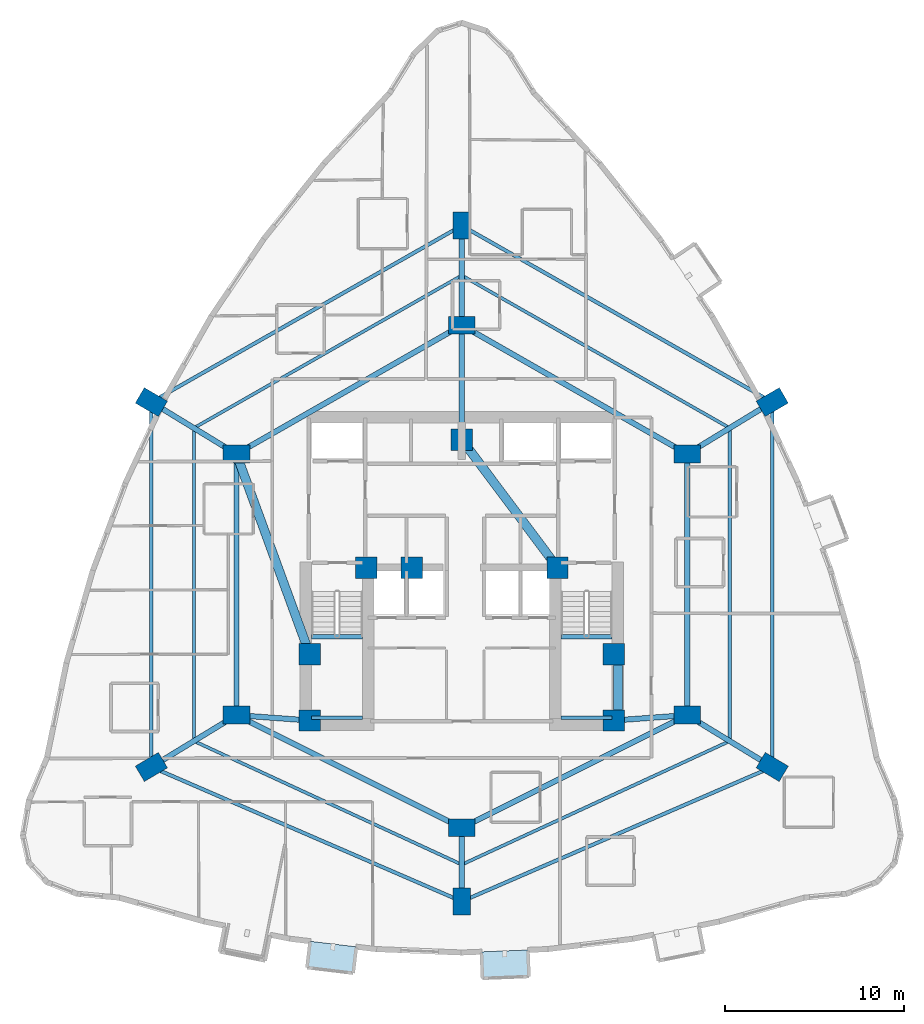
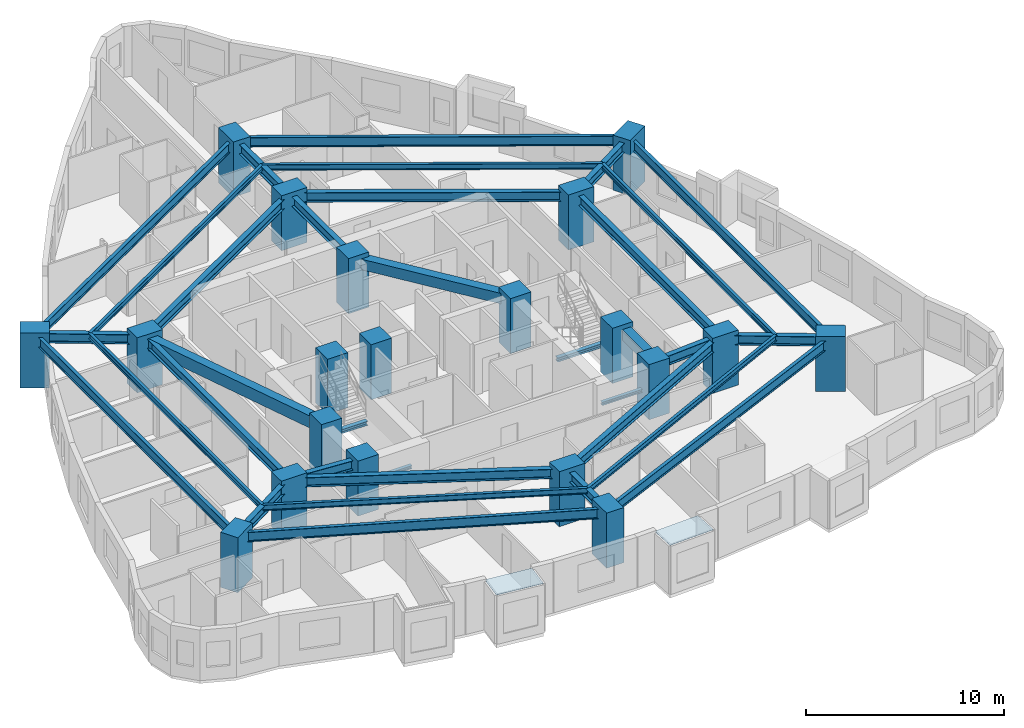
# One storey, part 1 of 12: 34 beams, 20 columns, 2 plates.
"""IFC4 building model written with IfcOpenShell, lengths in metres."""

from ifc_helpers import new_model, si_unit, direction, frame, origin, origin_2d, place, context, subcontext, project, spatial, polyline, rectangle, i_section, outline, extrude, material, layer, layer_set, material_profile, profile_set, type_object, element, save


model = new_model("IFC4")

# Units and contexts
model_context = context("Model", 3, precision=1e-05, world=origin(), true_north=direction((0.0, 1.0)))
body_context = subcontext(model_context, "Body", "Model", "MODEL_VIEW")
ifc_project = project(units=[si_unit("LENGTHUNIT", "METRE"), si_unit("AREAUNIT", "SQUARE_METRE"), si_unit("VOLUMEUNIT", "CUBIC_METRE"), si_unit("PLANEANGLEUNIT", "RADIAN"), si_unit("MASSUNIT", "GRAM", prefix="KILO")], contexts=[model_context])

# Site, building, storey
site_placement = place(None, origin())
site = spatial("IfcSite", under=ifc_project, at=site_placement, CompositionType="ELEMENT")
building_placement = place(site_placement, origin())
building = spatial("IfcBuilding", under=site, at=building_placement, Name="Miruveldt Soraemaru", CompositionType="ELEMENT")
storey_placement = place(building_placement, frame((0.0, 0.0, 56.39990234375)))
storey = spatial("IfcBuildingStorey", under=building, at=storey_placement, Name="L15", CompositionType="ELEMENT", Elevation=56.39990234375)

# Columns
ifc_material_1 = material(Name="Concrete C70/85 (70 MPa)", Category="concrete")
ifc_material_profile_1 = material_profile(ifc_material_1, rectangle(XDim=1.199951171875, YDim=1.199951171875, at=origin_2d()), Name="Concrete C70/85 (70 MPa)", Category="concrete")
ifc_profile_set_1 = profile_set([ifc_material_profile_1], Name="Concrete C70/85 (70 MPa)")
column_type_1 = type_object("IfcColumnType", Name="COL-CORE-1200", PredefinedType="COLUMN", material=ifc_profile_set_1)
for number, where, z_axis, x_axis, name in (
    (1, (35.5, 35.5, 0.0), (0.0, 0.0, 1.0), (1.0, 0.0, 0.0), "L15 Structural Column CC1"),
    (2, (38.64990234375, 44.050048828125, 0.0), (0.0, 0.0, 1.0), (1.0, 0.0, 0.0), "L15 Structural Column CC2"),
    (3, (52.5, 35.5, 0.0), (0.0, 0.0, 1.0), (1.0, 0.0, 0.0), "L15 Structural Column CC3"),
    (4, (52.5, 39.199951171875, 0.0), (0.0, 0.0, 1.0), (1.0, 0.0, 0.0), "L15 Structural Column CC4"),
    (5, (49.35009765625, 44.050048828125, 0.0), (0.0, 0.0, 1.0), (1.0, 0.0, 0.0), "L15 Structural Column CC5"),
    (6, (44.0, 51.199951171875, 0.0), (0.0, 0.0, 1.0), (1.0, 0.0, 0.0), "L15 Structural Column CC6"),
    (7, (35.5, 39.199951171875, 0.0), (0.0, 0.0, 1.0), (1.0, 0.0, 0.0), "L15 Structural Column CC7"),
    (8, (41.199951171875, 44.050048828125, 0.0), (0.0, 0.0, 1.0), (1.0, 0.0, 0.0), "L15 Structural Column CC8"),
):
    element("IfcColumn", number, at=place(storey_placement, frame(where, z_axis=z_axis, x_axis=x_axis)), inside=storey, type_object=column_type_1, Name=name, PredefinedType="COLUMN", context=body_context, shape_type="SweptSolid", body=[
        extrude(rectangle(XDim=1.199951171875, YDim=1.199951171875, at=origin_2d()), origin(), (0.0, 0.0, 1.0), 3.400146484375),
    ])
ifc_material_2 = material(Name="Concrete C80/95 (80 MPa)", Category="concrete")
ifc_material_profile_2 = material_profile(ifc_material_2, rectangle(XDim=1.5, YDim=1.0, at=origin_2d()), Name="Concrete C80/95 (80 MPa)", Category="concrete")
ifc_profile_set_2 = profile_set([ifc_material_profile_2], Name="Concrete C80/95 (80 MPa)")
column_type_2 = type_object("IfcColumnType", Name="COL-TW-Z1A", PredefinedType="COLUMN", material=ifc_profile_set_2)
for number, where, z_axis, x_axis, name in (
    (9, (44.0, 57.60009765625, 0.0), (0.0, 0.0, 1.0), (1.0, 0.0, 0.0), "L15 Structural Column IR01"),
    (10, (56.60009765625, 50.39990234375, 0.0), (0.0, 0.0, 1.0), (1.0, 0.0, 0.0), "L15 Structural Column IR02"),
    (11, (56.60009765625, 35.800048828125, 0.0), (0.0, 0.0, 1.0), (1.0, 0.0, 0.0), "L15 Structural Column IR03"),
    (12, (44.0, 29.5, 0.0), (0.0, 0.0, 1.0), (1.0, 0.0, 0.0), "L15 Structural Column IR04"),
    (13, (31.39990234375, 35.800048828125, 0.0), (0.0, 0.0, 1.0), (1.0, 0.0, 0.0), "L15 Structural Column IR05"),
    (14, (31.39990234375, 50.39990234375, 0.0), (0.0, 0.0, 1.0), (1.0, 0.0, 0.0), "L15 Structural Column IR06"),
    (15, (44.0, 63.16796875, 0.0), (0.0, 0.0, 1.0), (0.0, 1.0, 0.0), "L15 Structural Column Z1P01"),
    (16, (61.35595703125, 53.300048828125, 0.0), (0.0, 0.0, 1.0), (0.864274801954, 0.50301994663, 0.0), "L15 Structural Column Z1P02"),
    (17, (61.35595703125, 32.89990234375, 0.0), (0.0, 0.0, 1.0), (-0.859852271597, 0.510542917912, 0.0), "L15 Structural Column Z1P03"),
    (18, (44.0, 25.382080078125, 0.0), (0.0, 0.0, 1.0), (0.0, 1.0, 0.0), "L15 Structural Column Z1P04"),
    (19, (26.64404296875, 32.89990234375, 0.0), (0.0, 0.0, 1.0), (0.859852271597, 0.510542917912, 0.0), "L15 Structural Column Z1P05"),
    (20, (26.64404296875, 53.300048828125, 0.0), (0.0, 0.0, 1.0), (-0.864274801954, 0.50301994663, 0.0), "L15 Structural Column Z1P06"),
):
    element("IfcColumn", number, at=place(storey_placement, frame(where, z_axis=z_axis, x_axis=x_axis)), inside=storey, type_object=column_type_2, Name=name, PredefinedType="COLUMN", context=body_context, shape_type="SweptSolid", body=[
        extrude(rectangle(XDim=1.5, YDim=1.0, at=origin_2d()), origin(), (0.0, 0.0, 1.0), 3.400146484375),
    ])

# Beams
ifc_material_3 = material(Name="Concrete C50/60 (50 MPa)", Category="concrete")
ifc_material_profile_3 = material_profile(ifc_material_3, rectangle(XDim=0.5, YDim=0.64990234375, at=origin_2d()), Name="Concrete C50/60 (50 MPa)", Category="concrete")
ifc_profile_set_3 = profile_set([ifc_material_profile_3], Name="Concrete C50/60 (50 MPa)")
beam_type_1 = type_object("IfcBeamType", Name="BM-RC-500x650", PredefinedType="BEAM", material=ifc_profile_set_3)
beam_1_placement = place(storey_placement, frame((52.72998046875, 35.5, 2.800048828125), z_axis=(0.0, 1.0, 0.0), x_axis=(-1.0, 0.0, 0.0)))
element("IfcBeam", 21, at=beam_1_placement, inside=storey, type_object=beam_type_1, Name="L15 Core Tie Beam 3", PredefinedType="BEAM", context=body_context, shape_type="SweptSolid", body=[
    extrude(rectangle(XDim=0.5, YDim=0.64990234375, at=origin_2d()), origin(), (0.0, 0.0, 1.0), 3.699951171875),
])
beam_2_placement = place(storey_placement, frame((49.35009765625, 44.050048828125, 2.800048828125), z_axis=(-0.599116023999, 0.800662219533, 0.0), x_axis=(-0.800662219533, -0.599116023999, 0.0)))
element("IfcBeam", 22, at=beam_2_placement, inside=storey, type_object=beam_type_1, Name="L15 Core Tie Beam 5", PredefinedType="BEAM", context=body_context, shape_type="SweptSolid", body=[
    extrude(rectangle(XDim=0.5, YDim=0.64990234375, at=origin_2d()), origin(), (0.0, 0.0, 1.0), 8.929931640625),
])
ifc_material_4 = material(Name="Concrete C40/50 (40 MPa)", Category="concrete")
ifc_material_profile_4 = material_profile(ifc_material_4, rectangle(XDim=0.5, YDim=0.75, at=origin_2d()), Name="Concrete C40/50 (40 MPa)", Category="concrete")
ifc_profile_set_4 = profile_set([ifc_material_profile_4], Name="Concrete C40/50 (40 MPa)")
beam_type_2 = type_object("IfcBeamType", Name="BM-RC-500x750", PredefinedType="LINTEL", material=ifc_profile_set_4)
beam_3_placement = place(storey_placement, frame((31.39990234375, 50.39990234375, 2.75), z_axis=(0.343770424598, -0.939053723262, 0.0), x_axis=(0.939053723262, 0.343770424598, 0.0)))
element("IfcBeam", 23, at=beam_3_placement, inside=storey, type_object=beam_type_2, Name="L15 West Lobby Lintel", PredefinedType="LINTEL", context=body_context, shape_type="SweptSolid", body=[
    extrude(rectangle(XDim=0.5, YDim=0.75, at=origin_2d()), origin(), (0.0, 0.0, 1.0), 11.9267578125),
])
ifc_material_5 = material(Name="Steel SM355 (355 MPa)", Category="steel")
ifc_material_profile_5 = material_profile(ifc_material_5, i_section(OverallWidth=0.175048828125, OverallDepth=0.35009765625, WebThickness=0.007080078125, FlangeThickness=0.010986328125, FilletRadius=0.013916015625, at=origin_2d()), Name="Steel SM355 (355 MPa)", Category="steel")
ifc_profile_set_5 = profile_set([ifc_material_profile_5], Name="Steel SM355 (355 MPa)")
beam_type_3 = type_object("IfcBeamType", Name="BM-ST-H350", PredefinedType="JOIST", material=ifc_profile_set_5)
beam_4_placement = place(storey_placement, frame((44.0, 60.384033203125, 2.9501953125), z_axis=(0.868865604585, -0.495048039254, 0.0), x_axis=(0.495048039254, 0.868865604585, 0.0)))
element("IfcBeam", 24, at=beam_4_placement, inside=storey, type_object=beam_type_3, Name="L15 Outer Bay Floor Joist 1", PredefinedType="JOIST", context=body_context, shape_type="SweptSolid", body=[
    extrude(i_section(OverallWidth=0.175048828125, OverallDepth=0.35009765625, WebThickness=0.007080078125, FlangeThickness=0.010986328125, FilletRadius=0.013916015625, at=origin_2d()), origin(), (0.0, 0.0, 1.0), 17.238525390625),
])
beam_5_placement = place(storey_placement, frame((58.97802734375, 51.85009765625, 2.9501953125), z_axis=(0.0, -1.0, 0.0), x_axis=(1.0, 0.0, 0.0)))
element("IfcBeam", 25, at=beam_5_placement, inside=storey, type_object=beam_type_3, Name="L15 Outer Bay Floor Joist 2", PredefinedType="JOIST", context=body_context, shape_type="SweptSolid", body=[
    extrude(i_section(OverallWidth=0.175048828125, OverallDepth=0.35009765625, WebThickness=0.007080078125, FlangeThickness=0.010986328125, FilletRadius=0.013916015625, at=origin_2d()), origin(), (0.0, 0.0, 1.0), 17.5),
])
for number, where, z_axis, x_axis, name in (
    (26, (58.97802734375, 34.35009765625, 2.9501953125), (-0.908046005539, -0.418870447543, 0.0), (0.418870447543, -0.908046005539, 0.0), "L15 Outer Bay Floor Joist 3"),
    (27, (44.0, 27.44091796875, 2.9501953125), (-0.908046005539, 0.418870447543, 0.0), (-0.418870447543, -0.908046005539, 0.0), "L15 Outer Bay Floor Joist 4"),
):
    element("IfcBeam", number, at=place(storey_placement, frame(where, z_axis=z_axis, x_axis=x_axis)), inside=storey, type_object=beam_type_3, Name=name, PredefinedType="JOIST", context=body_context, shape_type="SweptSolid", body=[
        extrude(i_section(OverallWidth=0.175048828125, OverallDepth=0.35009765625, WebThickness=0.007080078125, FlangeThickness=0.010986328125, FilletRadius=0.013916015625, at=origin_2d()), origin(), (0.0, 0.0, 1.0), 16.494873046875),
    ])
beam_6_placement = place(storey_placement, frame((29.02197265625, 34.35009765625, 2.9501953125), z_axis=(0.0, 1.0, 0.0), x_axis=(-1.0, 0.0, 0.0)))
element("IfcBeam", 28, at=beam_6_placement, inside=storey, type_object=beam_type_3, Name="L15 Outer Bay Floor Joist 5", PredefinedType="JOIST", context=body_context, shape_type="SweptSolid", body=[
    extrude(i_section(OverallWidth=0.175048828125, OverallDepth=0.35009765625, WebThickness=0.007080078125, FlangeThickness=0.010986328125, FilletRadius=0.013916015625, at=origin_2d()), origin(), (0.0, 0.0, 1.0), 17.5),
])
beam_7_placement = place(storey_placement, frame((29.02197265625, 51.85009765625, 2.9501953125), z_axis=(0.868865604585, 0.495048039254, 0.0), x_axis=(-0.495048039254, 0.868865604585, 0.0)))
element("IfcBeam", 29, at=beam_7_placement, inside=storey, type_object=beam_type_3, Name="L15 Outer Bay Floor Joist 6", PredefinedType="JOIST", context=body_context, shape_type="SweptSolid", body=[
    extrude(i_section(OverallWidth=0.175048828125, OverallDepth=0.35009765625, WebThickness=0.007080078125, FlangeThickness=0.010986328125, FilletRadius=0.013916015625, at=origin_2d()), origin(), (0.0, 0.0, 1.0), 17.238525390625),
])
ifc_material_profile_6 = material_profile(ifc_material_5, i_section(OverallWidth=0.300048828125, OverallDepth=0.587890625, WebThickness=0.011962890625, FlangeThickness=0.02001953125, FilletRadius=0.028076171875, at=origin_2d()), Name="Steel SM355 (355 MPa)", Category="steel")
ifc_profile_set_6 = profile_set([ifc_material_profile_6], Name="Steel SM355 (355 MPa)")
beam_type_4 = type_object("IfcBeamType", Name="BM-ST-H588", PredefinedType="BEAM", material=ifc_profile_set_6)
beam_8_placement = place(storey_placement, frame((44.0, 57.60009765625, 2.8310546875), z_axis=(0.868239001029, -0.496146185203, 0.0), x_axis=(0.496146185203, 0.868239001029, 0.0)))
element("IfcBeam", 30, at=beam_8_placement, inside=storey, type_object=beam_type_4, Name="L15 Inner Ring Girder 1", PredefinedType="BEAM", context=body_context, shape_type="SweptSolid", body=[
    extrude(i_section(OverallWidth=0.300048828125, OverallDepth=0.587890625, WebThickness=0.011962890625, FlangeThickness=0.02001953125, FilletRadius=0.028076171875, at=origin_2d()), origin(), (0.0, 0.0, 1.0), 14.51220703125),
])
beam_9_placement = place(storey_placement, frame((44.0, 51.199951171875, 2.8310546875), z_axis=(0.0, 1.0, 0.0), x_axis=(-1.0, 0.0, 0.0)))
element("IfcBeam", 31, at=beam_9_placement, inside=storey, type_object=beam_type_4, Name="L15 Core-to-Inner Radial Girder 1", PredefinedType="BEAM", context=body_context, shape_type="SweptSolid", body=[
    extrude(i_section(OverallWidth=0.300048828125, OverallDepth=0.587890625, WebThickness=0.011962890625, FlangeThickness=0.02001953125, FilletRadius=0.028076171875, at=origin_2d()), origin(), (0.0, 0.0, 1.0), 6.400146484375),
])
beam_10_placement = place(storey_placement, frame((56.60009765625, 50.39990234375, 2.8310546875), z_axis=(0.0, -1.0, 0.0), x_axis=(1.0, 0.0, 0.0)))
element("IfcBeam", 32, at=beam_10_placement, inside=storey, type_object=beam_type_4, Name="L15 Inner Ring Girder 2", PredefinedType="BEAM", context=body_context, shape_type="SweptSolid", body=[
    extrude(i_section(OverallWidth=0.300048828125, OverallDepth=0.587890625, WebThickness=0.011962890625, FlangeThickness=0.02001953125, FilletRadius=0.028076171875, at=origin_2d()), origin(), (0.0, 0.0, 1.0), 14.599853515625),
])
beam_11_placement = place(storey_placement, frame((56.60009765625, 35.800048828125, 2.8310546875), z_axis=(-0.894427191, -0.4472135955, 0.0), x_axis=(0.4472135955, -0.894427191, 0.0)))
element("IfcBeam", 33, at=beam_11_placement, inside=storey, type_object=beam_type_4, Name="L15 Inner Ring Girder 3", PredefinedType="BEAM", context=body_context, shape_type="SweptSolid", body=[
    extrude(i_section(OverallWidth=0.300048828125, OverallDepth=0.587890625, WebThickness=0.011962890625, FlangeThickness=0.02001953125, FilletRadius=0.028076171875, at=origin_2d()), origin(), (0.0, 0.0, 1.0), 14.08740234375),
])
beam_12_placement = place(storey_placement, frame((52.5, 35.5, 2.8310546875), z_axis=(0.997332985605, 0.072985723431, 0.0), x_axis=(-0.072985723431, 0.997332985605, 0.0)))
element("IfcBeam", 34, at=beam_12_placement, inside=storey, type_object=beam_type_4, Name="L15 Core-to-Inner Radial Girder 3", PredefinedType="BEAM", context=body_context, shape_type="SweptSolid", body=[
    extrude(i_section(OverallWidth=0.300048828125, OverallDepth=0.587890625, WebThickness=0.011962890625, FlangeThickness=0.02001953125, FilletRadius=0.028076171875, at=origin_2d()), origin(), (0.0, 0.0, 1.0), 4.111083984375),
])
beam_13_placement = place(storey_placement, frame((44.0, 29.5, 2.8310546875), z_axis=(-0.894427191, 0.4472135955, 0.0), x_axis=(-0.4472135955, -0.894427191, 0.0)))
element("IfcBeam", 35, at=beam_13_placement, inside=storey, type_object=beam_type_4, Name="L15 Inner Ring Girder 4", PredefinedType="BEAM", context=body_context, shape_type="SweptSolid", body=[
    extrude(i_section(OverallWidth=0.300048828125, OverallDepth=0.587890625, WebThickness=0.011962890625, FlangeThickness=0.02001953125, FilletRadius=0.028076171875, at=origin_2d()), origin(), (0.0, 0.0, 1.0), 14.08740234375),
])
beam_14_placement = place(storey_placement, frame((31.39990234375, 35.800048828125, 2.8310546875), z_axis=(0.0, 1.0, 0.0), x_axis=(-1.0, 0.0, 0.0)))
element("IfcBeam", 36, at=beam_14_placement, inside=storey, type_object=beam_type_4, Name="L15 Inner Ring Girder 5", PredefinedType="BEAM", context=body_context, shape_type="SweptSolid", body=[
    extrude(i_section(OverallWidth=0.300048828125, OverallDepth=0.587890625, WebThickness=0.011962890625, FlangeThickness=0.02001953125, FilletRadius=0.028076171875, at=origin_2d()), origin(), (0.0, 0.0, 1.0), 14.599853515625),
])
beam_15_placement = place(storey_placement, frame((35.5, 35.5, 2.8310546875), z_axis=(-0.997332985605, 0.072985723431, 0.0), x_axis=(-0.072985723431, -0.997332985605, 0.0)))
element("IfcBeam", 37, at=beam_15_placement, inside=storey, type_object=beam_type_4, Name="L15 Core-to-Inner Radial Girder 5", PredefinedType="BEAM", context=body_context, shape_type="SweptSolid", body=[
    extrude(i_section(OverallWidth=0.300048828125, OverallDepth=0.587890625, WebThickness=0.011962890625, FlangeThickness=0.02001953125, FilletRadius=0.028076171875, at=origin_2d()), origin(), (0.0, 0.0, 1.0), 4.111083984375),
])
beam_16_placement = place(storey_placement, frame((31.39990234375, 50.39990234375, 2.8310546875), z_axis=(0.868239001029, 0.496146185203, 0.0), x_axis=(-0.496146185203, 0.868239001029, 0.0)))
element("IfcBeam", 38, at=beam_16_placement, inside=storey, type_object=beam_type_4, Name="L15 Inner Ring Girder 6", PredefinedType="BEAM", context=body_context, shape_type="SweptSolid", body=[
    extrude(i_section(OverallWidth=0.300048828125, OverallDepth=0.587890625, WebThickness=0.011962890625, FlangeThickness=0.02001953125, FilletRadius=0.028076171875, at=origin_2d()), origin(), (0.0, 0.0, 1.0), 14.51220703125),
])
beam_17_placement = place(storey_placement, frame((44.0, 57.60009765625, 2.8310546875), z_axis=(0.0, 1.0, 0.0), x_axis=(-1.0, 0.0, 0.0)))
element("IfcBeam", 39, at=beam_17_placement, inside=storey, type_object=beam_type_4, Name="L15 Zone-1 Radial Girder 1", PredefinedType="BEAM", context=body_context, shape_type="SweptSolid", body=[
    extrude(i_section(OverallWidth=0.300048828125, OverallDepth=0.587890625, WebThickness=0.011962890625, FlangeThickness=0.02001953125, FilletRadius=0.028076171875, at=origin_2d()), origin(), (0.0, 0.0, 1.0), 5.56787109375),
])
for number, where, z_axis, x_axis, name in (
    (40, (56.60009765625, 50.39990234375, 2.8310546875), (0.853777644156, 0.520637814935, 0.0), (-0.520637814935, 0.853777644156, 0.0), "L15 Zone-1 Radial Girder 2"),
    (41, (56.60009765625, 35.800048828125, 2.8310546875), (0.853777644156, -0.520637814935, 0.0), (0.520637814935, 0.853777644156, 0.0), "L15 Zone-1 Radial Girder 3"),
):
    element("IfcBeam", number, at=place(storey_placement, frame(where, z_axis=z_axis, x_axis=x_axis)), inside=storey, type_object=beam_type_4, Name=name, PredefinedType="BEAM", context=body_context, shape_type="SweptSolid", body=[
        extrude(i_section(OverallWidth=0.300048828125, OverallDepth=0.587890625, WebThickness=0.011962890625, FlangeThickness=0.02001953125, FilletRadius=0.028076171875, at=origin_2d()), origin(), (0.0, 0.0, 1.0), 5.5703125),
    ])
beam_18_placement = place(storey_placement, frame((44.0, 29.5, 2.8310546875), z_axis=(0.0, -1.0, 0.0), x_axis=(1.0, 0.0, 0.0)))
element("IfcBeam", 42, at=beam_18_placement, inside=storey, type_object=beam_type_4, Name="L15 Zone-1 Radial Girder 4", PredefinedType="BEAM", context=body_context, shape_type="SweptSolid", body=[
    extrude(i_section(OverallWidth=0.300048828125, OverallDepth=0.587890625, WebThickness=0.011962890625, FlangeThickness=0.02001953125, FilletRadius=0.028076171875, at=origin_2d()), origin(), (0.0, 0.0, 1.0), 4.117919921875),
])
for number, where, z_axis, x_axis, name in (
    (43, (31.39990234375, 35.800048828125, 2.8310546875), (-0.853777644156, -0.520637814935, 0.0), (0.520637814935, -0.853777644156, 0.0), "L15 Zone-1 Radial Girder 5"),
    (44, (31.39990234375, 50.39990234375, 2.8310546875), (-0.853777644156, 0.520637814935, 0.0), (-0.520637814935, -0.853777644156, 0.0), "L15 Zone-1 Radial Girder 6"),
):
    element("IfcBeam", number, at=place(storey_placement, frame(where, z_axis=z_axis, x_axis=x_axis)), inside=storey, type_object=beam_type_4, Name=name, PredefinedType="BEAM", context=body_context, shape_type="SweptSolid", body=[
        extrude(i_section(OverallWidth=0.300048828125, OverallDepth=0.587890625, WebThickness=0.011962890625, FlangeThickness=0.02001953125, FilletRadius=0.028076171875, at=origin_2d()), origin(), (0.0, 0.0, 1.0), 5.5703125),
    ])
ifc_material_profile_7 = material_profile(ifc_material_5, i_section(OverallWidth=0.199951171875, OverallDepth=0.60009765625, WebThickness=0.010986328125, FlangeThickness=0.01708984375, FilletRadius=0.02197265625, at=origin_2d()), Name="Steel SM355 (355 MPa)", Category="steel")
ifc_profile_set_7 = profile_set([ifc_material_profile_7], Name="Steel SM355 (355 MPa)")
beam_type_5 = type_object("IfcBeamType", Name="BM-ST-H600", PredefinedType="SPANDREL", material=ifc_profile_set_7)
beam_19_placement = place(storey_placement, frame((44.0, 63.16796875, 2.8251953125), z_axis=(0.869314947608, -0.494258557706, 0.0), x_axis=(0.494258557706, 0.869314947608, 0.0)))
element("IfcBeam", 45, at=beam_19_placement, inside=storey, type_object=beam_type_5, Name="L15 Zone-1 Spandrel Beam 1", PredefinedType="SPANDREL", context=body_context, shape_type="SweptSolid", body=[
    extrude(i_section(OverallWidth=0.199951171875, OverallDepth=0.60009765625, WebThickness=0.010986328125, FlangeThickness=0.01708984375, FilletRadius=0.02197265625, at=origin_2d()), origin(), (0.0, 0.0, 1.0), 19.965087890625),
])
beam_20_placement = place(storey_placement, frame((61.35595703125, 53.300048828125, 2.8251953125), z_axis=(0.0, -1.0, 0.0), x_axis=(1.0, 0.0, 0.0)))
element("IfcBeam", 46, at=beam_20_placement, inside=storey, type_object=beam_type_5, Name="L15 Zone-1 Spandrel Beam 2", PredefinedType="SPANDREL", context=body_context, shape_type="SweptSolid", body=[
    extrude(i_section(OverallWidth=0.199951171875, OverallDepth=0.60009765625, WebThickness=0.010986328125, FlangeThickness=0.01708984375, FilletRadius=0.02197265625, at=origin_2d()), origin(), (0.0, 0.0, 1.0), 20.400146484375),
])
for number, where, z_axis, x_axis, name in (
    (47, (61.35595703125, 32.89990234375, 2.8251953125), (-0.917615263736, -0.397469782195, 0.0), (0.397469782195, -0.917615263736, 0.0), "L15 Zone-1 Spandrel Beam 3"),
    (48, (44.0, 25.382080078125, 2.8251953125), (-0.917615263736, 0.397469782195, 0.0), (-0.397469782195, -0.917615263736, 0.0), "L15 Zone-1 Spandrel Beam 4"),
):
    element("IfcBeam", number, at=place(storey_placement, frame(where, z_axis=z_axis, x_axis=x_axis)), inside=storey, type_object=beam_type_5, Name=name, PredefinedType="SPANDREL", context=body_context, shape_type="SweptSolid", body=[
        extrude(i_section(OverallWidth=0.199951171875, OverallDepth=0.60009765625, WebThickness=0.010986328125, FlangeThickness=0.01708984375, FilletRadius=0.02197265625, at=origin_2d()), origin(), (0.0, 0.0, 1.0), 18.914306640625),
    ])
beam_21_placement = place(storey_placement, frame((26.64404296875, 32.89990234375, 2.8251953125), z_axis=(0.0, 1.0, 0.0), x_axis=(-1.0, 0.0, 0.0)))
element("IfcBeam", 49, at=beam_21_placement, inside=storey, type_object=beam_type_5, Name="L15 Zone-1 Spandrel Beam 5", PredefinedType="SPANDREL", context=body_context, shape_type="SweptSolid", body=[
    extrude(i_section(OverallWidth=0.199951171875, OverallDepth=0.60009765625, WebThickness=0.010986328125, FlangeThickness=0.01708984375, FilletRadius=0.02197265625, at=origin_2d()), origin(), (0.0, 0.0, 1.0), 20.400146484375),
])
beam_22_placement = place(storey_placement, frame((26.64404296875, 53.300048828125, 2.8251953125), z_axis=(0.869314947608, 0.494258557706, 0.0), x_axis=(-0.494258557706, 0.869314947608, 0.0)))
element("IfcBeam", 50, at=beam_22_placement, inside=storey, type_object=beam_type_5, Name="L15 Zone-1 Spandrel Beam 6", PredefinedType="SPANDREL", context=body_context, shape_type="SweptSolid", body=[
    extrude(i_section(OverallWidth=0.199951171875, OverallDepth=0.60009765625, WebThickness=0.010986328125, FlangeThickness=0.01708984375, FilletRadius=0.02197265625, at=origin_2d()), origin(), (0.0, 0.0, 1.0), 19.965087890625),
])
ifc_material_profile_8 = material_profile(ifc_material_5, i_section(OverallWidth=0.199951171875, OverallDepth=0.199951171875, WebThickness=0.008056640625, FlangeThickness=0.011962890625, FilletRadius=0.012939453125, at=origin_2d()), Name="Steel SM355 (355 MPa)", Category="steel")
ifc_profile_set_8 = profile_set([ifc_material_profile_8], Name="Steel SM355 (355 MPa)")
beam_type_6 = type_object("IfcBeamType", Name="BM-ST-LND200", PredefinedType="BEAM", material=ifc_profile_set_8)
for number, where, z_axis, x_axis, name in (
    (51, (35.60009765625, 35.64990234375, 1.400146484375), (1.0, 0.0, 0.0), (0.0, 1.0, 0.0), "L15 ST1 Landing End Beam 1B"),
    (52, (49.550048828125, 35.64990234375, 1.400146484375), (1.0, 0.0, 0.0), (0.0, 1.0, 0.0), "L15 ST2 Landing End Beam 1B"),
):
    element("IfcBeam", number, at=place(storey_placement, frame(where, z_axis=z_axis, x_axis=x_axis)), inside=storey, type_object=beam_type_6, Name=name, PredefinedType="BEAM", context=body_context, shape_type="SweptSolid", body=[
        extrude(i_section(OverallWidth=0.199951171875, OverallDepth=0.199951171875, WebThickness=0.008056640625, FlangeThickness=0.011962890625, FilletRadius=0.012939453125, at=origin_2d()), origin(), (0.0, 0.0, 1.0), 2.849853515625),
    ])
ifc_material_profile_9 = material_profile(ifc_material_5, i_section(OverallWidth=0.25, OverallDepth=0.25, WebThickness=0.009033203125, FlangeThickness=0.013916015625, FilletRadius=0.01611328125, at=origin_2d()), Name="Steel SM355 (355 MPa)", Category="steel")
ifc_profile_set_9 = profile_set([ifc_material_profile_9], Name="Steel SM355 (355 MPa)")
beam_type_7 = type_object("IfcBeamType", Name="BM-ST-LND250", PredefinedType="BEAM", material=ifc_profile_set_9)
for number, where, z_axis, x_axis, name in (
    (53, (35.60009765625, 40.179931640625, 1.375), (1.0, 0.0, 0.0), (0.0, 1.0, 0.0), "L15 ST1 Landing Support Beam 1A"),
    (54, (49.550048828125, 40.179931640625, 1.375), (1.0, 0.0, 0.0), (0.0, 1.0, 0.0), "L15 ST2 Landing Support Beam 1A"),
):
    element("IfcBeam", number, at=place(storey_placement, frame(where, z_axis=z_axis, x_axis=x_axis)), inside=storey, type_object=beam_type_7, Name=name, PredefinedType="BEAM", context=body_context, shape_type="SweptSolid", body=[
        extrude(i_section(OverallWidth=0.25, OverallDepth=0.25, WebThickness=0.009033203125, FlangeThickness=0.013916015625, FilletRadius=0.01611328125, at=origin_2d()), origin(), (0.0, 0.0, 1.0), 2.849853515625),
    ])

# Plates
ifc_material_6 = material(Name="Standing-seam titanium-zinc sheet", Category="aluminium")
ifc_layer = layer(ifc_material_6, 0.011962890625, Name="Standing-seam titanium-zinc sheet", Category="aluminium")
ifc_layer_set = layer_set([ifc_layer], Name="Standing-seam titanium-zinc sheet")
plate_type = type_object("IfcPlateType", Name="PLT-ZINC-12", PredefinedType="SHEET", material=ifc_layer_set)
plate_1_placement = place(storey_placement, frame((0.0, 0.0, 2.97509765625)))
element("IfcPlate", 55, at=plate_1_placement, inside=storey, type_object=plate_type, Name="L15 Bay Window Zinc Hood Sheet 1", PredefinedType="SHEET", context=body_context, shape_type="SweptSolid", body=[
    extrude(outline(polyline([(35.5224609375, 23.15478515625), (38.10400390625, 22.844970703125), (37.927734375, 21.37548828125), (35.34619140625, 21.685302734375), (35.5224609375, 23.15478515625)])), origin(), (0.0, 0.0, 1.0), 0.011962890625),
])
plate_2_placement = place(storey_placement, frame((0.0, 0.0, 2.97509765625)))
element("IfcPlate", 56, at=plate_2_placement, inside=storey, type_object=plate_type, Name="L15 Bay Window Zinc Hood Sheet 2", PredefinedType="SHEET", context=body_context, shape_type="SweptSolid", body=[
    extrude(outline(polyline([(45.0966796875, 22.564697265625), (47.694580078125, 22.66845703125), (47.75390625, 21.189697265625), (45.15576171875, 21.085693359375), (45.0966796875, 22.564697265625)])), origin(), (0.0, 0.0, 1.0), 0.011962890625),
])

save(model, "model.ifc")
